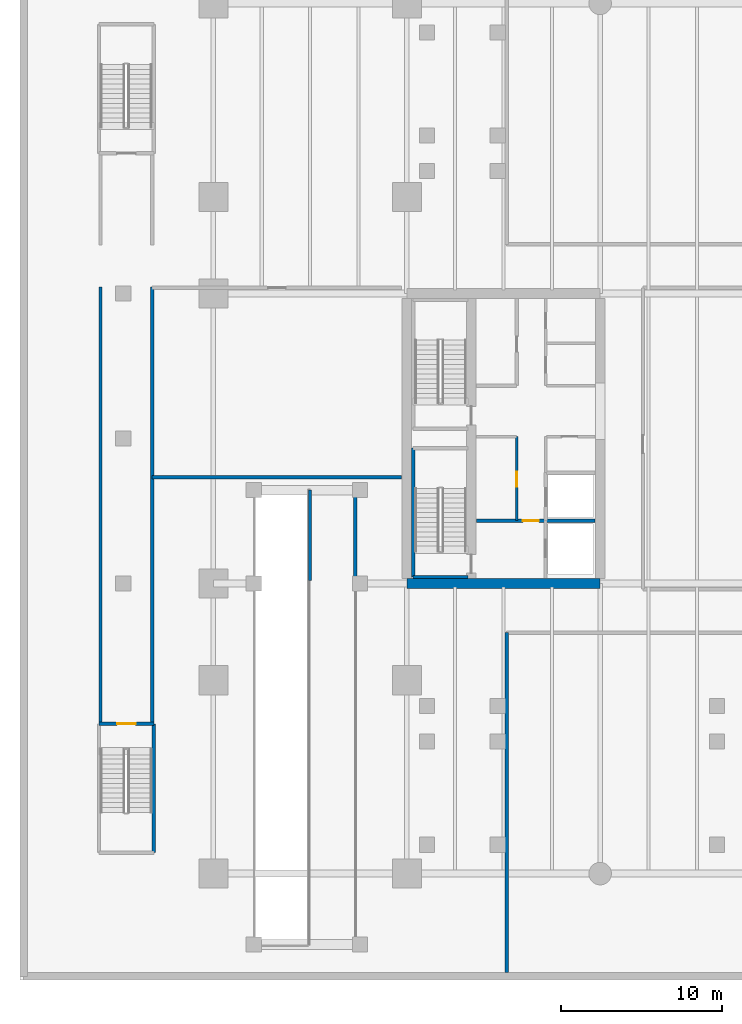
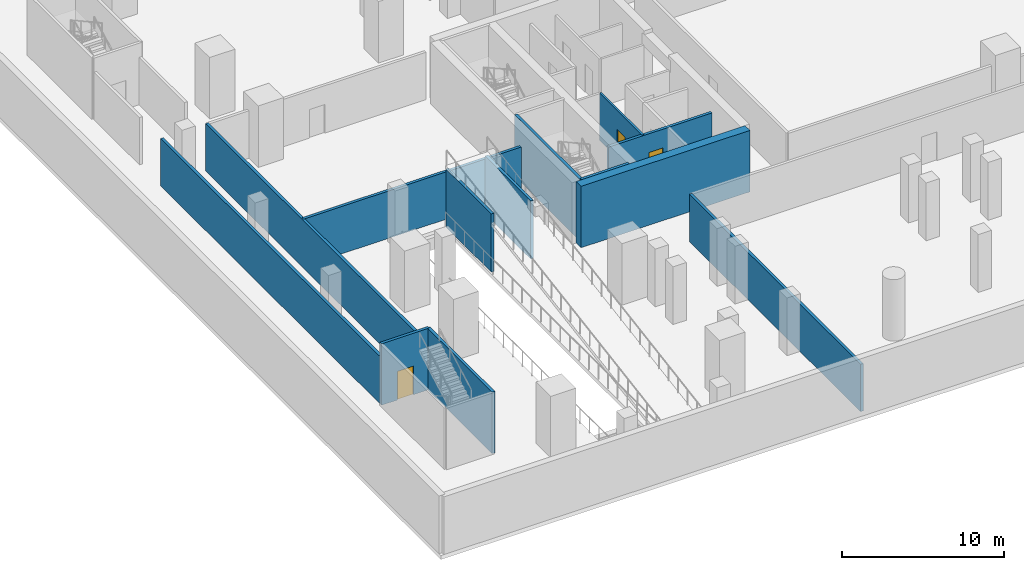
# One storey, part 3 of 13: 13 walls, 3 doors, 3 openings.
"""IFC4 building model written with IfcOpenShell, lengths in metres."""

import ifcopenshell
import ifcopenshell.guid

model = None  # the IFC model being written
_history = None  # IfcOwnerHistory: only IFC2X3 demands one
_inside = {}  # id of a spatial element -> (the spatial element, [elements in it])
_under = {}  # id of a project, library or spatial element -> (it, [spatial elements below it])
_declared = {}  # id of a project -> (the project, [libraries it declares])
_typed = {}  # id of a type object -> (the type object, [elements of that type])
_made_of = {}  # id of a material, layer set ... -> (it, [elements and type objects made of it])


def new_model(schema):
    """Start an empty IFC model of exactly this schema.

    Asked for "IFC4X3", IfcOpenShell would pick the latest addendum, in which some entities
    have other attributes; the version numbers below select the first issue.
    IFC2X3 requires an IfcOwnerHistory on every rooted entity: one is made here for all.
    """
    global model, _history
    if schema == "IFC4X3":
        model = ifcopenshell.file(schema_version=(4, 3, 0, 0))
    else:
        model = ifcopenshell.file(schema=schema)
    _inside.clear()
    _under.clear()
    _declared.clear()
    _typed.clear()
    _made_of.clear()
    _history = None
    if model.schema == "IFC2X3":
        org = make("IfcOrganization", Name="unknown")
        user = make(
            "IfcPersonAndOrganization",
            ThePerson=make("IfcPerson", FamilyName="unknown"),
            TheOrganization=org,
        )
        app = make(
            "IfcApplication",
            ApplicationDeveloper=org,
            Version="unknown",
            ApplicationFullName="unknown",
            ApplicationIdentifier="unknown",
        )
        _history = make(
            "IfcOwnerHistory",
            OwningUser=user,
            OwningApplication=app,
            ChangeAction="ADDED",
            CreationDate=0,
        )
    return model


def make(cls, **values):
    """One entity of the class cls with the attributes given. An attribute that is None is left unset."""
    return model.create_entity(
        cls, **{name: value for name, value in values.items() if value is not None}
    )


def rooted(cls, **values):
    """An entity with a GlobalId (a new one), such as an element, a storey or a relation."""
    return make(cls, GlobalId=ifcopenshell.guid.new(), OwnerHistory=_history, **values)


def si_unit(unit_type, name, prefix=None):
    """IfcSIUnit, for example si_unit("LENGTHUNIT", "METRE", prefix="MILLI")."""
    return make("IfcSIUnit", UnitType=unit_type, Prefix=prefix, Name=name)


def assignment(units):
    """IfcUnitAssignment: the units of a project."""
    return None if units is None else make("IfcUnitAssignment", Units=units)


def point(xyz):
    """IfcCartesianPoint."""
    return None if xyz is None else make("IfcCartesianPoint", Coordinates=xyz)


def direction(xyz):
    """IfcDirection."""
    return None if xyz is None else make("IfcDirection", DirectionRatios=xyz)


def frame(location, z_axis=None, x_axis=None):
    """IfcAxis2Placement3D, a coordinate frame: its origin and axes. An axis left out is left unset."""
    return make(
        "IfcAxis2Placement3D",
        Location=point(location),
        Axis=direction(z_axis),
        RefDirection=direction(x_axis),
    )


def frame_2d(location, x_axis=None):
    """IfcAxis2Placement2D, a coordinate frame in the plane: its origin and x axis."""
    return make(
        "IfcAxis2Placement2D", Location=point(location), RefDirection=direction(x_axis)
    )


def origin():
    """The frame at (0, 0, 0) with its axes left unset."""
    return frame((0.0, 0.0, 0.0))


def place(relative_to, where):
    """IfcLocalPlacement: puts the frame where relative to a parent placement (None: the world)."""
    return make(
        "IfcLocalPlacement", PlacementRelTo=relative_to, RelativePlacement=where
    )


def context(
    kind, dimensions, precision=None, world=None, true_north=None, identifier=None
):
    """IfcGeometricRepresentationContext, for example the 3D "Model" context."""
    return make(
        "IfcGeometricRepresentationContext",
        ContextIdentifier=identifier,
        ContextType=kind,
        CoordinateSpaceDimension=dimensions,
        Precision=precision,
        WorldCoordinateSystem=world,
        TrueNorth=true_north,
    )


def subcontext(parent, identifier, kind, view, scale=None):
    """IfcGeometricRepresentationSubContext, for example "Body" below "Model"."""
    return make(
        "IfcGeometricRepresentationSubContext",
        ContextIdentifier=identifier,
        ContextType=kind,
        ParentContext=parent,
        TargetScale=scale,
        TargetView=view,
    )


def project(units=None, contexts=None):
    """IfcProject with its units and contexts."""
    return rooted(
        "IfcProject",
        Name="project",
        RepresentationContexts=contexts,
        UnitsInContext=assignment(units),
    )


def spatial(cls, under=None, at=None, **own):
    """A site, building, storey or space (cls), placed at a placement, below another one or the project."""
    s = rooted(cls, ObjectPlacement=at, **own)
    if under is not None:
        _under.setdefault(under.id(), (under, []))[1].append(s)
    return s


def profile(cls, at=None, kind="AREA", **sizes):
    """A parametric profile (cls). Its sizes go by their IFC names, for example OverallWidth=200.0."""
    return make(cls, ProfileType=kind, Position=at, **sizes)


def rectangle(**sizes):
    """IfcRectangleProfileDef."""
    return profile("IfcRectangleProfileDef", **sizes)


def extrude(swept, where, along, depth):
    """IfcExtrudedAreaSolid: the profile swept, set in the frame where, extruded along a direction by depth."""
    return make(
        "IfcExtrudedAreaSolid",
        SweptArea=swept,
        Position=where,
        ExtrudedDirection=direction(along),
        Depth=depth,
    )


def shape(context_of_items, identifier, shape_type, items):
    """IfcShapeRepresentation: the items that make up one representation, for example the "Body"."""
    return make(
        "IfcShapeRepresentation",
        ContextOfItems=context_of_items,
        RepresentationIdentifier=identifier,
        RepresentationType=shape_type,
        Items=items,
    )


def material(Name=None, Category=None):
    """IfcMaterial."""
    return make("IfcMaterial", Name=Name, Category=Category)


def layer(
    of_material, thickness, ventilated=None, Name=None, Category=None, Priority=None
):
    """IfcMaterialLayer: one layer of a wall or slab, of a material (None: an air gap)."""
    return make(
        "IfcMaterialLayer",
        Material=of_material,
        LayerThickness=thickness,
        IsVentilated=ventilated,
        Name=Name,
        Category=Category,
        Priority=Priority,
    )


def layer_set(layers, Name=None):
    """IfcMaterialLayerSet."""
    return make("IfcMaterialLayerSet", MaterialLayers=layers, LayerSetName=Name)


def made_of(thing, what):
    """Note that an element or type object is made of a material, layer set ...; save() writes the relation."""
    if what is not None:
        _made_of.setdefault(what.id(), (what, []))[1].append(thing)
    return thing


def type_object(cls, material=None, **own):
    """A type object (cls), such as IfcWallType, which elements share."""
    return made_of(rooted(cls, **own), material)


def element(
    cls,
    number,
    at=None,
    inside=None,
    cuts=None,
    type_object=None,
    material=None,
    context=None,
    identifier="Body",
    shape_type=None,
    held_by="IfcProductDefinitionShape",
    body=None,
    shapes=None,
    **own,
):
    """One element of the class cls, such as IfcWall. Its Tag is "e" and its number.

    at: its placement. inside: the storey or other place that contains it. cuts: it is an
    opening in that element (IfcRelVoidsElement). A single representation is given by context,
    identifier, shape_type and body (its items); several are given by shapes. held_by: the class
    of the entity that holds the representations. save() writes the other relations.
    """
    e = rooted(cls, Tag="e%d" % number, ObjectPlacement=at, **own)
    if body is not None:
        shapes = [shape(context, identifier, shape_type, body)]
    if shapes is not None:
        e.Representation = make(held_by, Representations=shapes)
    if inside is not None:
        _inside.setdefault(inside.id(), (inside, []))[1].append(e)
    if cuts is not None:
        rooted(
            "IfcRelVoidsElement", RelatingBuildingElement=cuts, RelatedOpeningElement=e
        )
    if type_object is not None:
        _typed.setdefault(type_object.id(), (type_object, []))[1].append(e)
    return made_of(e, material)


def fill(opening, filler):
    """IfcRelFillsElement: the door or window that sits in an opening."""
    return rooted(
        "IfcRelFillsElement",
        RelatingOpeningElement=opening,
        RelatedBuildingElement=filler,
    )


def aggregate(whole, parts):
    """IfcRelAggregates: a whole, such as a stair, and the parts it consists of."""
    return rooted("IfcRelAggregates", RelatingObject=whole, RelatedObjects=parts)


def save(model, path):
    """Write the relations noted so far, then the file.

    IfcRelAggregates (storeys below a building ...), IfcRelContainedInSpatialStructure (elements
    in a storey), IfcRelDefinesByType, IfcRelAssociatesMaterial and IfcRelDeclares: one each for
    every whole, place, type object, material and project.
    """
    for whole, parts in _under.values():
        aggregate(whole, parts)
    for where, things in _inside.values():
        rooted(
            "IfcRelContainedInSpatialStructure",
            RelatedElements=things,
            RelatingStructure=where,
        )
    for kind, things in _typed.values():
        rooted("IfcRelDefinesByType", RelatedObjects=things, RelatingType=kind)
    for what, things in _made_of.values():
        rooted("IfcRelAssociatesMaterial", RelatedObjects=things, RelatingMaterial=what)
    for by, libraries in _declared.values():
        rooted("IfcRelDeclares", RelatingContext=by, RelatedDefinitions=libraries)
    model.write(path)


model = new_model("IFC4")

# Units and contexts
model_context = context("Model", 3, precision=1e-05, world=origin(), true_north=direction((0.0, 1.0)))
body_context = subcontext(model_context, "Body", "Model", "MODEL_VIEW")
ifc_project = project(units=[si_unit("LENGTHUNIT", "METRE"), si_unit("AREAUNIT", "SQUARE_METRE"), si_unit("VOLUMEUNIT", "CUBIC_METRE"), si_unit("PLANEANGLEUNIT", "RADIAN"), si_unit("MASSUNIT", "GRAM", prefix="KILO")], contexts=[model_context])

# Site, building, storey
site_placement = place(None, origin())
site = spatial("IfcSite", under=ifc_project, at=site_placement, CompositionType="ELEMENT")
building_placement = place(site_placement, origin())
building = spatial("IfcBuilding", under=site, at=building_placement, Name="Tanjung Sevakor Pilgrim Tower", CompositionType="ELEMENT")
storey_placement = place(building_placement, frame((0.0, 0.0, -4.6201171875)))
storey = spatial("IfcBuildingStorey", under=building, at=storey_placement, Name="B01", CompositionType="ELEMENT", Elevation=-4.6201171875)

# Wall
ifc_material_1 = material(Name="Concrete C60/75", Category="concrete")
ifc_layer_1 = layer(ifc_material_1, 0.60009765625)
ifc_layer_set_1 = layer_set([ifc_layer_1], Name="WALL-CW-600B")
wall_type_1 = type_object("IfcWallType", Name="WALL-CW-600B", PredefinedType="SHEAR", material=ifc_layer_set_1)
wall_1_placement = place(storey_placement, frame((24.0, 24.60009765625, 0.0), z_axis=(0.0, 0.0, 1.0), x_axis=(1.0, 0.0, 0.0)))
element("IfcWall", 1, at=wall_1_placement, inside=storey, type_object=wall_type_1, Name="B01 W Core South Shear Wall", PredefinedType="SHEAR", context=body_context, shape_type="SweptSolid", body=[
    extrude(rectangle(XDim=12.0, YDim=0.60009765625, at=frame_2d((6.0, 0.0))), origin(), (0.0, 0.0, 1.0), 4.6201171875),
])

# Wall, opening, door
ifc_material_2 = material(Name="Concrete C40/50", Category="concrete")
ifc_layer_2 = layer(ifc_material_2, 0.14990234375)
ifc_layer_set_2 = layer_set([ifc_layer_2], Name="WT-COMP-150")
wall_type_2 = type_object("IfcWallType", Name="WT-COMP-150", PredefinedType="SOLIDWALL", material=ifc_layer_set_2)
wall_2_placement = place(storey_placement, frame((30.820068359375, 28.5, 0.0), z_axis=(0.0, 0.0, 1.0), x_axis=(0.0, 1.0, 0.0)))
wall_2 = element("IfcWall", 2, at=wall_2_placement, inside=storey, type_object=wall_type_2, Name="B01 Partition IW-B01-004", PredefinedType="SOLIDWALL", context=body_context, shape_type="SweptSolid", body=[
    extrude(rectangle(XDim=5.219970703125, YDim=0.14990234375, at=frame_2d((2.60986328125, 0.0))), origin(), (0.0, 0.0, 1.0), 3.56005859375),
])
opening_1_placement = place(wall_2_placement, frame((2.10009765625, 0.0, 0.0)))
opening_1 = element("IfcOpeningElement", 3, at=opening_1_placement, cuts=wall_2, Name="Opening ID-FD2", PredefinedType="OPENING", context=body_context, shape_type="SweptSolid", body=[
    extrude(rectangle(XDim=0.949951171875, YDim=2.14990234375, at=frame_2d((0.47509765625, 1.074951171875))), frame((0.0, 0.0849609375, 0.0), z_axis=(0.0, -1.0, 0.0), x_axis=(1.0, 0.0, 0.0)), (0.0, 0.0, 1.0), 0.169921875),
])
ifc_material_3 = material(Name="Fire-Rated Timber", Category="wood")
door_type_1 = type_object("IfcDoorType", Name="DT-FIRE-950", OperationType="NOTDEFINED", PredefinedType="DOOR", material=ifc_material_3)
door_1_placement = place(opening_1_placement, origin())
door_1 = element("IfcDoor", 4, at=door_1_placement, inside=storey, type_object=door_type_1, Name="B01 Housekeeping Pantry Door", OperationType="SINGLE_SWING_LEFT", OverallHeight=2.14990234375, OverallWidth=0.949951171875, PredefinedType="DOOR", context=body_context, shape_type="SweptSolid", body=[
    extrude(rectangle(XDim=0.949951171875, YDim=2.14990234375, at=frame_2d((0.47509765625, 1.074951171875))), frame((0.0, 0.02490234375, 0.0), z_axis=(0.0, -1.0, 0.0), x_axis=(1.0, 0.0, 0.0)), (0.0, 0.0, 1.0), 0.050048828125),
])
fill(opening_1, door_1)

# Walls
ifc_material_4 = material(Name="Concrete C40/50", Category="concrete")
ifc_layer_3 = layer(ifc_material_4, 0.199951171875)
ifc_layer_set_3 = layer_set([ifc_layer_3], Name="WT-FIRE-200")
wall_type_3 = type_object("IfcWallType", Name="WT-FIRE-200", PredefinedType="SOLIDWALL", material=ifc_layer_set_3)
wall_3_placement = place(storey_placement, frame((24.39990234375, 25.0, 0.0), z_axis=(0.0, 0.0, 1.0), x_axis=(1.0, 0.0, 0.0)))
element("IfcWall", 5, at=wall_3_placement, inside=storey, type_object=wall_type_3, Name="B01 TS-W1 Shaft Wall 1", PredefinedType="SOLIDWALL", context=body_context, shape_type="SweptSolid", body=[
    extrude(rectangle(XDim=3.400146484375, YDim=0.199951171875, at=frame_2d((1.7001953125, 0.0))), origin(), (0.0, 0.0, 1.0), 4.6201171875),
])
for number, where, z_axis, x_axis, name in (
    (6, (24.39990234375, 33.0, 0.0), (0.0, 0.0, 1.0), (0.0, -1.0, 0.0), "B01 TS-W1 Shaft Wall 3"),
    (7, (8.300048828125, 7.89990234375, 0.0), (0.0, 0.0, 1.0), (0.0, 1.0, 0.0), "B01 BS-1 Shaft Wall 2"),
):
    element("IfcWall", number, at=place(storey_placement, frame(where, z_axis=z_axis, x_axis=x_axis)), inside=storey, type_object=wall_type_3, Name=name, PredefinedType="SOLIDWALL", context=body_context, shape_type="SweptSolid", body=[
        extrude(rectangle(XDim=8.0, YDim=0.199951171875, at=frame_2d((4.0, 0.0))), origin(), (0.0, 0.0, 1.0), 4.6201171875),
    ])

# Wall, opening, door
wall_4_placement = place(storey_placement, frame((8.300048828125, 15.89990234375, 0.0), z_axis=(0.0, 0.0, 1.0), x_axis=(-1.0, 0.0, 0.0)))
wall_4 = element("IfcWall", 8, at=wall_4_placement, inside=storey, type_object=wall_type_3, Name="B01 BS-1 Shaft Wall 3", PredefinedType="SOLIDWALL", context=body_context, shape_type="SweptSolid", body=[
    extrude(rectangle(XDim=3.400146484375, YDim=0.199951171875, at=frame_2d((1.7001953125, 0.0))), origin(), (0.0, 0.0, 1.0), 4.6201171875),
])
opening_2_placement = place(wall_4_placement, frame((1.125, 0.0, 0.0)))
opening_2 = element("IfcOpeningElement", 9, at=opening_2_placement, cuts=wall_4, Name="Opening ID-ST1", PredefinedType="OPENING", context=body_context, shape_type="SweptSolid", body=[
    extrude(rectangle(XDim=1.14990234375, YDim=2.14990234375, at=frame_2d((0.574951171875, 1.074951171875))), frame((0.0, 0.10986328125, 0.0), z_axis=(0.0, -1.0, 0.0), x_axis=(1.0, 0.0, 0.0)), (0.0, 0.0, 1.0), 0.219970703125),
])
ifc_material_5 = material(Name="Fire-Rated Steel S355J2", Category="steel")
door_type_2 = type_object("IfcDoorType", Name="DT-FIRE-1150", OperationType="NOTDEFINED", PredefinedType="DOOR", material=ifc_material_5)
door_2_placement = place(opening_2_placement, origin())
door_2 = element("IfcDoor", 10, at=door_2_placement, inside=storey, type_object=door_type_2, Name="B01 BS-1 Stair Entry Fire Door", OperationType="SINGLE_SWING_RIGHT", OverallHeight=2.14990234375, OverallWidth=1.14990234375, PredefinedType="DOOR", context=body_context, shape_type="SweptSolid", body=[
    extrude(rectangle(XDim=1.14990234375, YDim=2.14990234375, at=frame_2d((0.574951171875, 1.074951171875))), frame((0.0, 0.02490234375, 0.0), z_axis=(0.0, -1.0, 0.0), x_axis=(1.0, 0.0, 0.0)), (0.0, 0.0, 1.0), 0.050048828125),
])
fill(opening_2, door_2)

# Walls
for number, where, z_axis, x_axis, name in (
    (11, (18.0, 24.800048828125, 0.0), (0.0, 0.0, 1.0), (0.0, 1.0, 0.0), "B01 Vehicle Ramp Support Wall W"),
    (12, (20.800048828125, 24.800048828125, 0.0), (0.0, 0.0, 1.0), (0.0, 1.0, 0.0), "B01 Vehicle Ramp Support Wall E"),
):
    element("IfcWall", number, at=place(storey_placement, frame(where, z_axis=z_axis, x_axis=x_axis)), inside=storey, type_object=wall_type_3, Name=name, PredefinedType="SOLIDWALL", context=body_context, shape_type="SweptSolid", body=[
        extrude(rectangle(XDim=5.599853515625, YDim=0.199951171875, at=frame_2d((2.7998046875, 0.0))), origin(), (0.0, 0.0, 1.0), 4.3701171875),
    ])

# Wall, opening, door
ifc_material_6 = material(Name="Concrete C40/50", Category="concrete")
ifc_layer_4 = layer(ifc_material_6, 0.199951171875)
ifc_layer_set_4 = layer_set([ifc_layer_4], Name="WT-FPRT-200")
wall_type_4 = type_object("IfcWallType", Name="WT-FPRT-200", PredefinedType="SOLIDWALL", material=ifc_layer_set_4)
wall_5_placement = place(storey_placement, frame((28.320068359375, 28.5, 0.0), z_axis=(0.0, 0.0, 1.0), x_axis=(1.0, 0.0, 0.0)))
wall_5 = element("IfcWall", 13, at=wall_5_placement, inside=storey, type_object=wall_type_4, Name="B01 Partition IW-B01-002", PredefinedType="SOLIDWALL", context=body_context, shape_type="SweptSolid", body=[
    extrude(rectangle(XDim=7.35986328125, YDim=0.199951171875, at=frame_2d((3.679931640625, 0.0))), origin(), (0.0, 0.0, 1.0), 3.56005859375),
])
opening_3_placement = place(wall_5_placement, frame((2.8798828125, 0.0, 0.0)))
opening_3 = element("IfcOpeningElement", 14, at=opening_3_placement, cuts=wall_5, Name="Opening ID-FD1", PredefinedType="OPENING", context=body_context, shape_type="SweptSolid", body=[
    extrude(rectangle(XDim=1.0, YDim=2.14990234375, at=frame_2d((0.5, 1.074951171875))), frame((0.0, 0.10986328125, 0.0), z_axis=(0.0, -1.0, 0.0), x_axis=(1.0, 0.0, 0.0)), (0.0, 0.0, 1.0), 0.219970703125),
])
ifc_material_7 = material(Name="Fire-Rated Steel S355J2", Category="steel")
door_type_3 = type_object("IfcDoorType", Name="DT-FIRE-1000", OperationType="NOTDEFINED", PredefinedType="DOOR", material=ifc_material_7)
door_3_placement = place(opening_3_placement, origin())
door_3 = element("IfcDoor", 15, at=door_3_placement, inside=storey, type_object=door_type_3, Name="Fire Lobby Door W", OperationType="SINGLE_SWING_RIGHT", OverallHeight=2.14990234375, OverallWidth=1.0, PredefinedType="DOOR", context=body_context, shape_type="SweptSolid", body=[
    extrude(rectangle(XDim=1.0, YDim=2.14990234375, at=frame_2d((0.5, 1.074951171875))), frame((0.0, 0.02490234375, 0.0), z_axis=(0.0, -1.0, 0.0), x_axis=(1.0, 0.0, 0.0)), (0.0, 0.0, 1.0), 0.050048828125),
])
fill(opening_3, door_3)

# Walls
for number, where, z_axis, x_axis, name in (
    (16, (5.0, 15.89990234375, 0.0), (0.0, 0.0, 1.0), (0.0, 1.0, 0.0), "B01 Partition IW-B01-033"),
    (17, (8.199951171875, 15.89990234375, 0.0), (0.0, 0.0, 1.0), (0.0, 1.0, 0.0), "B01 Partition IW-B01-034"),
):
    element("IfcWall", number, at=place(storey_placement, frame(where, z_axis=z_axis, x_axis=x_axis)), inside=storey, type_object=wall_type_4, Name=name, PredefinedType="SOLIDWALL", context=body_context, shape_type="SweptSolid", body=[
        extrude(rectangle(XDim=27.10009765625, YDim=0.199951171875, at=frame_2d((13.550048828125, 0.0))), origin(), (0.0, 0.0, 1.0), 3.56005859375),
    ])
wall_6_placement = place(storey_placement, frame((30.199951171875, 0.449951171875, 0.0), z_axis=(0.0, 0.0, 1.0), x_axis=(0.0, 1.0, 0.0)))
element("IfcWall", 18, at=wall_6_placement, inside=storey, type_object=wall_type_4, Name="B01 Partition IW-B01-036", PredefinedType="SOLIDWALL", context=body_context, shape_type="SweptSolid", body=[
    extrude(rectangle(XDim=21.10009765625, YDim=0.199951171875, at=frame_2d((10.550048828125, 0.0))), origin(), (0.0, 0.0, 1.0), 3.56005859375),
])
wall_7_placement = place(storey_placement, frame((8.199951171875, 31.199951171875, 0.0), z_axis=(0.0, 0.0, 1.0), x_axis=(1.0, 0.0, 0.0)))
element("IfcWall", 19, at=wall_7_placement, inside=storey, type_object=wall_type_4, Name="B01 Partition IW-B01-040", PredefinedType="SOLIDWALL", context=body_context, shape_type="SweptSolid", body=[
    extrude(rectangle(XDim=15.47998046875, YDim=0.199951171875, at=frame_2d((7.739990234375, 0.0))), origin(), (0.0, 0.0, 1.0), 3.56005859375),
])

save(model, "model.ifc")
